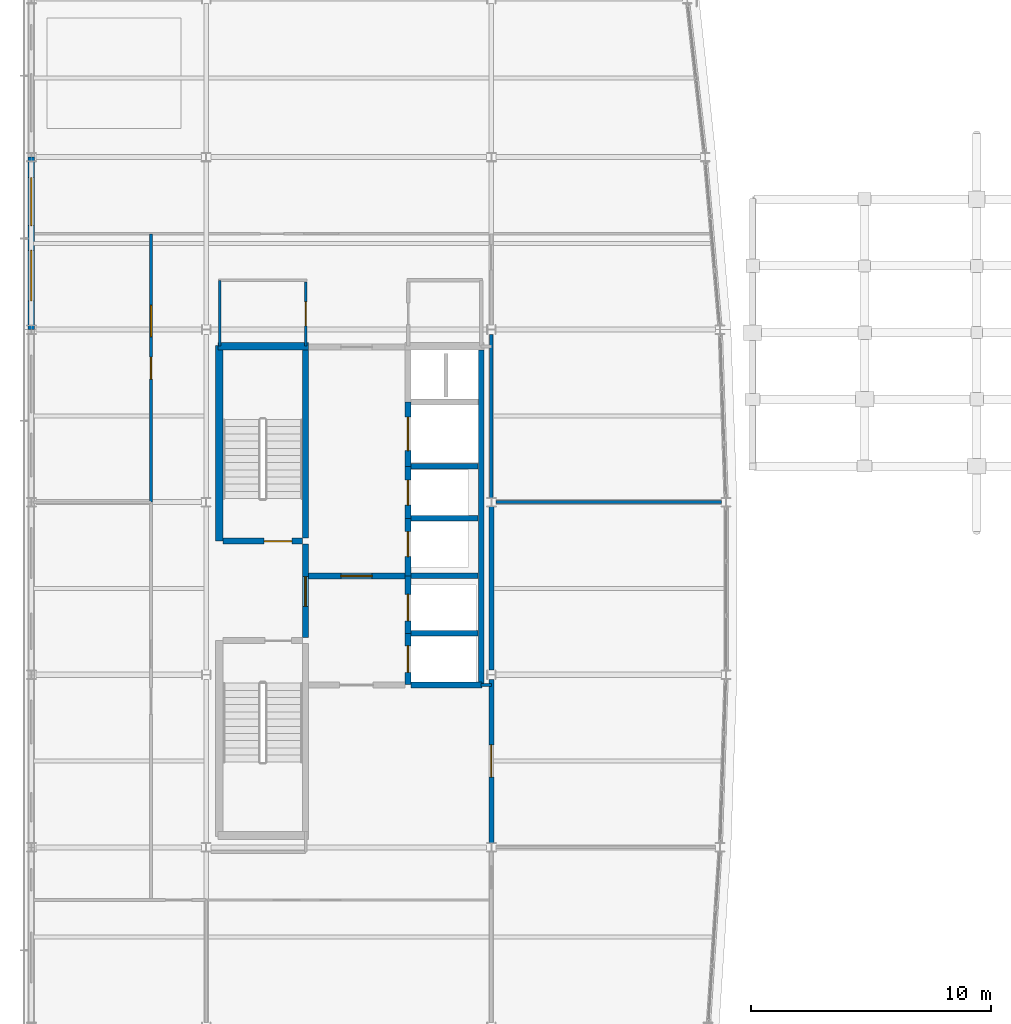
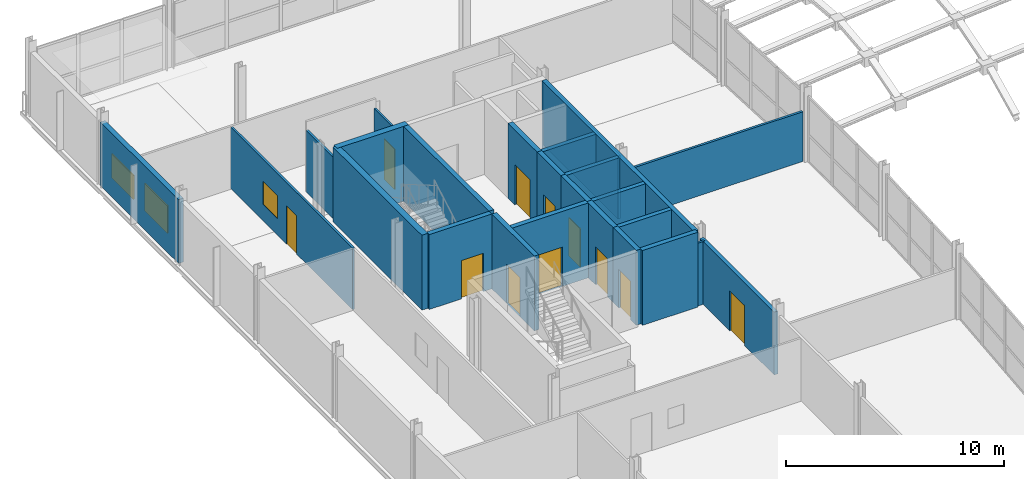
# One storey, part 25 of 36: 26 walls, 11 doors, 3 windows, 14 openings.
"""IFC4 building model written with IfcOpenShell, lengths in metres."""

from ifc_helpers import new_model, si_unit, direction, frame, frame_2d, origin, place, context, subcontext, project, spatial, rectangle, extrude, material, layer, layer_set, type_object, element, fill, save


model = new_model("IFC4")

# Units and contexts
model_context = context("Model", 3, precision=1e-05, world=origin(), true_north=direction((0.0, 1.0)))
body_context = subcontext(model_context, "Body", "Model", "MODEL_VIEW")
ifc_project = project(units=[si_unit("LENGTHUNIT", "METRE"), si_unit("AREAUNIT", "SQUARE_METRE"), si_unit("VOLUMEUNIT", "CUBIC_METRE"), si_unit("PLANEANGLEUNIT", "RADIAN"), si_unit("MASSUNIT", "GRAM", prefix="KILO")], contexts=[model_context])

# Site, building, storey
site_placement = place(None, origin())
site = spatial("IfcSite", under=ifc_project, at=site_placement, CompositionType="ELEMENT")
building_placement = place(site_placement, origin())
building = spatial("IfcBuilding", under=site, at=building_placement, Name="Quillay Park Conservatory", CompositionType="ELEMENT")
storey_placement = place(building_placement, frame((0.0, 0.0, 18.300048828125)))
storey = spatial("IfcBuildingStorey", under=building, at=storey_placement, Name="L04", CompositionType="ELEMENT", Elevation=18.300048828125)

# Wall, opening, door
ifc_material_1 = material(Name="Steel-Stud Acoustic Gypsum Board Partition", Category="steel")
ifc_layer_1 = layer(ifc_material_1, 0.10009765625)
ifc_layer_set_1 = layer_set([ifc_layer_1], Name="ACOUSTIC GYPSUM PARTITION 100 (Steel-Stud Acoustic Gypsum Board Partition)")
wall_type_1 = type_object("IfcWallType", Name="ACOUSTIC GYPSUM PARTITION 100", PredefinedType="PARTITIONING", material=ifc_layer_set_1)
wall_1_placement = place(storey_placement, frame((12.0, 101.60009765625, 0.0), z_axis=(0.0, 0.0, 1.0), x_axis=(0.0, -1.0, 0.0)))
wall_1 = element("IfcWall", 1, at=wall_1_placement, inside=storey, type_object=wall_type_1, Name="L04 Accessible WC Door Wall", PredefinedType="PARTITIONING", context=body_context, shape_type="SweptSolid", body=[
    extrude(rectangle(XDim=2.68017578125, YDim=0.10009765625, at=frame_2d((1.340087890625, 0.0))), origin(), (0.0, 0.0, 1.0), 3.450927734375),
])
opening_1_placement = place(wall_1_placement, frame((0.840087890625, 0.0, 0.0)))
opening_1 = element("IfcOpeningElement", 2, at=opening_1_placement, cuts=wall_1, Name="Opening D-RM19", PredefinedType="OPENING", context=body_context, shape_type="SweptSolid", body=[
    extrude(rectangle(XDim=1.0, YDim=2.25, at=frame_2d((0.5, 1.125))), frame((0.0, 0.050048828125, 0.0), z_axis=(0.0, -1.0, 0.0), x_axis=(1.0, 0.0, 0.0)), (0.0, 0.0, 1.0), 0.10009765625),
])
ifc_material_2 = material(Name="Thermally Broken Anodised Aluminium 6063-T6", Category="aluminium")
door_type_1 = type_object("IfcDoorType", Name="SINGLE SWING DOOR 1000 X2250", OperationType="NOTDEFINED", PredefinedType="DOOR", material=ifc_material_2)
door_1_placement = place(opening_1_placement, origin())
door_1 = element("IfcDoor", 3, at=door_1_placement, inside=storey, type_object=door_type_1, Name="L04 Door to L04 Accessible WC", OperationType="SINGLE_SWING_LEFT", OverallHeight=2.25, OverallWidth=1.0, PredefinedType="DOOR", context=body_context, shape_type="SweptSolid", body=[
    extrude(rectangle(XDim=1.0, YDim=2.25, at=frame_2d((0.5, 1.125))), frame((0.0, 0.02490234375, 0.0), z_axis=(0.0, -1.0, 0.0), x_axis=(1.0, 0.0, 0.0)), (0.0, 0.0, 1.0), 0.050048828125),
])
fill(opening_1, door_1)

# Wall
ifc_material_3 = material(Name="Steel-Stud Acoustic Gypsum Board Partition", Category="steel")
ifc_layer_2 = layer(ifc_material_3, 0.110107421875)
ifc_layer_set_2 = layer_set([ifc_layer_2], Name="ACOUSTIC GYPSUM PARTITION 110 (Steel-Stud Acoustic Gypsum Board Partition)")
wall_type_2 = type_object("IfcWallType", Name="ACOUSTIC GYPSUM PARTITION 110", PredefinedType="PARTITIONING", material=ifc_layer_set_2)
wall_2_placement = place(storey_placement, frame((8.419921875, 98.919921875, 0.0), z_axis=(0.0, 0.0, 1.0), x_axis=(0.0, 1.0, 0.0)))
element("IfcWall", 4, at=wall_2_placement, inside=storey, type_object=wall_type_2, Name="L04 Accessible WC West Wall", PredefinedType="PARTITIONING", context=body_context, shape_type="SweptSolid", body=[
    extrude(rectangle(XDim=2.739990234375, YDim=0.110107421875, at=frame_2d((1.3701171875, 0.0))), origin(), (0.0, 0.0, 1.0), 3.450927734375),
])

# Wall, openings, window, door
ifc_material_4 = material(Name="Steel-Stud Acoustic Gypsum Board Partition", Category="steel")
ifc_layer_3 = layer(ifc_material_4, 0.114990234375)
ifc_layer_set_3 = layer_set([ifc_layer_3], Name="ACOUSTIC GYPSUM PARTITION 115 (Steel-Stud Acoustic Gypsum Board Partition)")
wall_type_3 = type_object("IfcWallType", Name="ACOUSTIC GYPSUM PARTITION 115", PredefinedType="PARTITIONING", material=ifc_layer_set_3)
wall_3_placement = place(storey_placement, frame((5.550048828125, 92.39990234375, 0.0), z_axis=(0.0, 0.0, 1.0), x_axis=(0.0, 1.0, 0.0)))
wall_3 = element("IfcWall", 5, at=wall_3_placement, inside=storey, type_object=wall_type_3, Name="L04 Flora Nomenclature Indexing Studio Corridor Wall", PredefinedType="PARTITIONING", context=body_context, shape_type="SweptSolid", body=[
    extrude(rectangle(XDim=11.2001953125, YDim=0.114990234375, at=frame_2d((5.60009765625, 0.0))), origin(), (0.0, 0.0, 1.0), 3.450927734375),
])
opening_2_placement = place(wall_3_placement, frame((5.139892578125, 0.0, 0.0)))
opening_2 = element("IfcOpeningElement", 6, at=opening_2_placement, cuts=wall_3, Name="Opening D-RM07", PredefinedType="OPENING", context=body_context, shape_type="SweptSolid", body=[
    extrude(rectangle(XDim=0.919921875, YDim=2.14990234375, at=frame_2d((0.4599609375, 1.074951171875))), frame((0.0, 0.0576171875, 0.0), z_axis=(0.0, -1.0, 0.0), x_axis=(1.0, 0.0, 0.0)), (0.0, 0.0, 1.0), 0.114990234375),
])
opening_3_placement = place(wall_3_placement, frame((6.909912109375, 0.0, 0.919921875)))
opening_3 = element("IfcOpeningElement", 7, at=opening_3_placement, cuts=wall_3, Name="Opening W-IN11", PredefinedType="OPENING", context=body_context, shape_type="SweptSolid", body=[
    extrude(rectangle(XDim=1.300048828125, YDim=1.300048828125, at=frame_2d((0.64990234375, 0.64990234375))), frame((0.0, 0.0576171875, 0.0), z_axis=(0.0, -1.0, 0.0), x_axis=(1.0, 0.0, 0.0)), (0.0, 0.0, 1.0), 0.114990234375),
])
ifc_material_5 = material(Name="Low-E Double Glazing (Laminated Tempered)", Category="glass")
window_type_1 = type_object("IfcWindowType", Name="OPERABLE VENT WINDOW 1300 X1300", PartitioningType="SINGLE_PANEL", PredefinedType="WINDOW", material=ifc_material_5)
window_1_placement = place(opening_3_placement, origin())
window_1 = element("IfcWindow", 8, at=window_1_placement, inside=storey, type_object=window_type_1, Name="L04 Laboratory Vision Panel 023", OverallHeight=1.300048828125, OverallWidth=1.300048828125, PartitioningType="SINGLE_PANEL", PredefinedType="WINDOW", context=body_context, shape_type="SweptSolid", body=[
    extrude(rectangle(XDim=1.300048828125, YDim=1.300048828125, at=frame_2d((0.64990234375, 0.64990234375))), frame((0.0, 0.030029296875, 0.0), z_axis=(0.0, -1.0, 0.0), x_axis=(1.0, 0.0, 0.0)), (0.0, 0.0, 1.0), 0.06005859375),
])
fill(opening_3, window_1)
ifc_material_6 = material(Name="Thermally Broken Anodised Aluminium 6063-T6", Category="aluminium")
door_type_2 = type_object("IfcDoorType", Name="SINGLE SWING DOOR 920 X2150", OperationType="NOTDEFINED", PredefinedType="DOOR", material=ifc_material_6)
door_2_placement = place(opening_2_placement, origin())
door_2 = element("IfcDoor", 9, at=door_2_placement, inside=storey, type_object=door_type_2, Name="L04 Door to Flora Nomenclature Indexing Studio", OperationType="SINGLE_SWING_LEFT", OverallHeight=2.14990234375, OverallWidth=0.919921875, PredefinedType="DOOR", context=body_context, shape_type="SweptSolid", body=[
    extrude(rectangle(XDim=0.919921875, YDim=2.14990234375, at=frame_2d((0.4599609375, 1.074951171875))), frame((0.0, 0.02490234375, 0.0), z_axis=(0.0, -1.0, 0.0), x_axis=(1.0, 0.0, 0.0)), (0.0, 0.0, 1.0), 0.050048828125),
])
fill(opening_2, door_2)

# Walls
ifc_material_7 = material(Name="Steel-Stud Acoustic Gypsum Board Partition", Category="steel")
ifc_layer_4 = layer(ifc_material_7, 0.1201171875)
ifc_layer_set_4 = layer_set([ifc_layer_4], Name="ACOUSTIC GYPSUM PARTITION 120 (Steel-Stud Acoustic Gypsum Board Partition)")
wall_type_4 = type_object("IfcWallType", Name="ACOUSTIC GYPSUM PARTITION 120", PredefinedType="PARTITIONING", material=ifc_layer_set_4)
wall_4_placement = place(storey_placement, frame((19.320068359375, 84.77490234375, 0.0), z_axis=(0.0, 0.0, 1.0), x_axis=(1.0, 0.0, 0.0)))
element("IfcWall", 10, at=wall_4_placement, inside=storey, type_object=wall_type_4, Name="L04 Core South-East Closure", PredefinedType="PARTITIONING", context=body_context, shape_type="SweptSolid", body=[
    extrude(rectangle(XDim=0.429931640625, YDim=0.1201171875, at=frame_2d((0.21484375, 0.0))), origin(), (0.0, 0.0, 1.0), 3.52685546875),
])
ifc_material_8 = material(Name="Steel-Stud Acoustic Gypsum Board Partition", Category="steel")
ifc_layer_5 = layer(ifc_material_8, 0.125)
ifc_layer_set_5 = layer_set([ifc_layer_5], Name="ACOUSTIC GYPSUM PARTITION 125 (Steel-Stud Acoustic Gypsum Board Partition)")
wall_type_5 = type_object("IfcWallType", Name="ACOUSTIC GYPSUM PARTITION 125", PredefinedType="PARTITIONING", material=ifc_layer_set_5)
wall_5_placement = place(storey_placement, frame((29.357421875, 92.39990234375, 0.0), z_axis=(0.0, 0.0, 1.0), x_axis=(-1.0, 0.0, 0.0)))
element("IfcWall", 11, at=wall_5_placement, inside=storey, type_object=wall_type_5, Name="L04 East Divider 92", PredefinedType="PARTITIONING", context=body_context, shape_type="SweptSolid", body=[
    extrude(rectangle(XDim=9.4150390625, YDim=0.125, at=frame_2d((4.70751953125, 0.0))), origin(), (0.0, 0.0, 1.0), 2.7900390625),
])
ifc_material_9 = material(Name="Steel-Stud Acoustic Gypsum Board Partition", Category="steel")
ifc_layer_6 = layer(ifc_material_9, 0.139892578125)
ifc_layer_set_6 = layer_set([ifc_layer_6], Name="ACOUSTIC GYPSUM PARTITION 140 (Steel-Stud Acoustic Gypsum Board Partition)")
wall_type_6 = type_object("IfcWallType", Name="ACOUSTIC GYPSUM PARTITION 140", PredefinedType="PARTITIONING", material=ifc_layer_set_6)
wall_6_placement = place(storey_placement, frame((19.75, 92.5849609375, 0.0), z_axis=(0.0, 0.0, 1.0), x_axis=(0.0, 1.0, 0.0)))
element("IfcWall", 12, at=wall_6_placement, inside=storey, type_object=wall_type_6, Name="L04 Lichenology Specimen Curation Studio West Wall 1", PredefinedType="PARTITIONING", context=body_context, shape_type="SweptSolid", body=[
    extrude(rectangle(XDim=6.822509765625, YDim=0.139892578125, at=frame_2d((3.4111328125, 0.0))), origin(), (0.0, 0.0, 1.0), 3.52685546875),
])
ifc_material_10 = material(Name="Concrete C35/45 (NCh170 Concrete C35/45)", Category="concrete")
ifc_layer_7 = layer(ifc_material_10, 0.22509765625)
ifc_layer_set_7 = layer_set([ifc_layer_7], Name="CORE SHEAR WALL 225 (Concrete C35/45 (NCh170 Concrete C35/45))")
wall_type_7 = type_object("IfcWallType", Name="CORE SHEAR WALL 225", PredefinedType="SHEAR", material=ifc_layer_set_7)
wall_7_placement = place(storey_placement, frame((19.320068359375, 84.800048828125, 0.0), z_axis=(0.0, 0.0, 1.0), x_axis=(0.0, 1.0, 0.0)))
element("IfcWall", 13, at=wall_7_placement, inside=storey, type_object=wall_type_7, Name="L04 Core Shear Wall WL-LFBACK-L04", PredefinedType="SHEAR", context=body_context, shape_type="SweptSolid", body=[
    extrude(rectangle(XDim=13.949951171875, YDim=0.22509765625, at=frame_2d((6.97509765625, 0.0))), origin(), (0.0, 0.0, 1.0), 4.199951171875),
])
for number, where, z_axis, x_axis, name in (
    (14, (16.39990234375, 86.925048828125, 0.0), (0.0, 0.0, 1.0), (1.0, 0.0, 0.0), "L04 Core Shear Wall WL-LFDIV-L04-869"),
    (15, (16.39990234375, 89.324951171875, 0.0), (0.0, 0.0, 1.0), (1.0, 0.0, 0.0), "L04 Core Shear Wall WL-LFDIV-L04-893"),
    (16, (16.39990234375, 91.72509765625, 0.0), (0.0, 0.0, 1.0), (1.0, 0.0, 0.0), "L04 Core Shear Wall WL-LFDIV-L04-917"),
    (17, (16.39990234375, 93.89990234375, 0.0), (0.0, 0.0, 1.0), (1.0, 0.0, 0.0), "L04 Core Shear Wall WL-LFDIV-L04-939"),
):
    element("IfcWall", number, at=place(storey_placement, frame(where, z_axis=z_axis, x_axis=x_axis)), inside=storey, type_object=wall_type_7, Name=name, PredefinedType="SHEAR", context=body_context, shape_type="SweptSolid", body=[
        extrude(rectangle(XDim=2.800048828125, YDim=0.22509765625, at=frame_2d((1.39990234375, 0.0))), origin(), (0.0, 0.0, 1.0), 4.199951171875),
    ])
ifc_material_11 = material(Name="Concrete C40/50 (NCh170 Concrete C40/50)", Category="concrete")
ifc_layer_8 = layer(ifc_material_11, 0.25)
ifc_layer_set_8 = layer_set([ifc_layer_8], Name="CORE SHEAR WALL 250 (Concrete C40/50 (NCh170 Concrete C40/50))")
wall_type_8 = type_object("IfcWallType", Name="CORE SHEAR WALL 250", PredefinedType="SHEAR", material=ifc_layer_set_8)
wall_8_placement = place(storey_placement, frame((11.9951171875, 90.89990234375, 0.0), z_axis=(0.0, 0.0, 1.0), x_axis=(0.0, 1.0, 0.0)))
element("IfcWall", 18, at=wall_8_placement, inside=storey, type_object=wall_type_8, Name="L04 Core Shear Wall WL-T1E-L04", PredefinedType="SHEAR", context=body_context, shape_type="SweptSolid", body=[
    extrude(rectangle(XDim=7.85009765625, YDim=0.25, at=frame_2d((3.925048828125, 0.0))), origin(), (0.0, 0.0, 1.0), 4.199951171875),
])

# Wall, opening, door
wall_9_placement = place(storey_placement, frame((11.9951171875, 86.75, 0.0), z_axis=(0.0, 0.0, 1.0), x_axis=(0.0, 1.0, 0.0)))
wall_9 = element("IfcWall", 19, at=wall_9_placement, inside=storey, type_object=wall_type_8, Name="L04 Core Shear Wall WL-FFW-L04", PredefinedType="SHEAR", context=body_context, shape_type="SweptSolid", body=[
    extrude(rectangle(XDim=3.89990234375, YDim=0.25, at=frame_2d((1.949951171875, 0.0))), origin(), (0.0, 0.0, 1.0), 4.199951171875),
])
opening_4_placement = place(wall_9_placement, frame((1.300048828125, 0.0, 0.0)))
opening_4 = element("IfcOpeningElement", 20, at=opening_4_placement, cuts=wall_9, Name="Opening D-LB01", PredefinedType="OPENING", context=body_context, shape_type="SweptSolid", body=[
    extrude(rectangle(XDim=1.25, YDim=2.199951171875, at=frame_2d((0.625, 1.10009765625))), frame((0.0, 0.125, 0.0), z_axis=(0.0, -1.0, 0.0), x_axis=(1.0, 0.0, 0.0)), (0.0, 0.0, 1.0), 0.25),
])
ifc_material_12 = material(Name="Steel ASTM A572 Grade 50", Category="steel")
door_type_3 = type_object("IfcDoorType", Name="FIRE RATED LOBBY DOOR 1250 X2200", OperationType="NOTDEFINED", PredefinedType="DOOR", material=ifc_material_12)
door_3_placement = place(opening_4_placement, origin())
door_3 = element("IfcDoor", 21, at=door_3_placement, inside=storey, type_object=door_type_3, Name="L04 Firefighting Lobby Corridor Door", OperationType="SINGLE_SWING_LEFT", OverallHeight=2.199951171875, OverallWidth=1.25, PredefinedType="DOOR", context=body_context, shape_type="SweptSolid", body=[
    extrude(rectangle(XDim=1.25, YDim=2.199951171875, at=frame_2d((0.625, 1.10009765625))), frame((0.0, 0.02490234375, 0.0), z_axis=(0.0, -1.0, 0.0), x_axis=(1.0, 0.0, 0.0)), (0.0, 0.0, 1.0), 0.050048828125),
])
fill(opening_4, door_3)

wall_10_placement = place(storey_placement, frame((11.8701171875, 90.77490234375, 0.0), z_axis=(0.0, 0.0, 1.0), x_axis=(-1.0, 0.0, 0.0)))
wall_10 = element("IfcWall", 22, at=wall_10_placement, inside=storey, type_object=wall_type_8, Name="L04 Core Shear Wall WL-ST1D-L04", PredefinedType="SHEAR", context=body_context, shape_type="SweptSolid", body=[
    extrude(rectangle(XDim=3.320068359375, YDim=0.25, at=frame_2d((1.66015625, 0.0))), origin(), (0.0, 0.0, 1.0), 4.199951171875),
])
opening_5_placement = place(wall_10_placement, frame((0.449951171875, 0.0, 0.0)))
opening_5 = element("IfcOpeningElement", 23, at=opening_5_placement, cuts=wall_10, Name="Opening D-ST02", PredefinedType="OPENING", context=body_context, shape_type="SweptSolid", body=[
    extrude(rectangle(XDim=1.14990234375, YDim=2.14990234375, at=frame_2d((0.574951171875, 1.074951171875))), frame((0.0, 0.125, 0.0), z_axis=(0.0, -1.0, 0.0), x_axis=(1.0, 0.0, 0.0)), (0.0, 0.0, 1.0), 0.25),
])
ifc_material_13 = material(Name="Steel ASTM A572 Grade 50", Category="steel")
door_type_4 = type_object("IfcDoorType", Name="FIRE RATED STAIR DOOR 1150 X2150", OperationType="NOTDEFINED", PredefinedType="DOOR", material=ifc_material_13)
door_4_placement = place(opening_5_placement, origin())
door_4 = element("IfcDoor", 24, at=door_4_placement, inside=storey, type_object=door_type_4, Name="L04 Protected Stair ST-T1 Door", OperationType="SINGLE_SWING_RIGHT", OverallHeight=2.14990234375, OverallWidth=1.14990234375, PredefinedType="DOOR", context=body_context, shape_type="SweptSolid", body=[
    extrude(rectangle(XDim=1.14990234375, YDim=2.14990234375, at=frame_2d((0.574951171875, 1.074951171875))), frame((0.0, 0.02490234375, 0.0), z_axis=(0.0, -1.0, 0.0), x_axis=(1.0, 0.0, 0.0)), (0.0, 0.0, 1.0), 0.050048828125),
])
fill(opening_5, door_4)

wall_11_placement = place(storey_placement, frame((12.1201171875, 89.324951171875, 0.0), z_axis=(0.0, 0.0, 1.0), x_axis=(1.0, 0.0, 0.0)))
wall_11 = element("IfcWall", 25, at=wall_11_placement, inside=storey, type_object=wall_type_8, Name="L04 Core Shear Wall WL-FFDIV-L04", PredefinedType="SHEAR", context=body_context, shape_type="SweptSolid", body=[
    extrude(rectangle(XDim=4.02978515625, YDim=0.25, at=frame_2d((2.014892578125, 0.0))), origin(), (0.0, 0.0, 1.0), 4.199951171875),
])
opening_6_placement = place(wall_11_placement, frame((1.35009765625, 0.0, 0.0)))
opening_6 = element("IfcOpeningElement", 26, at=opening_6_placement, cuts=wall_11, Name="Opening D-LB02", PredefinedType="OPENING", context=body_context, shape_type="SweptSolid", body=[
    extrude(rectangle(XDim=1.300048828125, YDim=2.199951171875, at=frame_2d((0.64990234375, 1.10009765625))), frame((0.0, 0.125, 0.0), z_axis=(0.0, -1.0, 0.0), x_axis=(1.0, 0.0, 0.0)), (0.0, 0.0, 1.0), 0.25),
])
ifc_material_14 = material(Name="Steel ASTM A572 Grade 50", Category="steel")
door_type_5 = type_object("IfcDoorType", Name="FIRE RATED LOBBY DOOR 1300 X2200", OperationType="NOTDEFINED", PredefinedType="DOOR", material=ifc_material_14)
door_5_placement = place(opening_6_placement, origin())
door_5 = element("IfcDoor", 27, at=door_5_placement, inside=storey, type_object=door_type_5, Name="L04 Firefighting to Passenger Lobby Door", OperationType="SINGLE_SWING_LEFT", OverallHeight=2.199951171875, OverallWidth=1.300048828125, PredefinedType="DOOR", context=body_context, shape_type="SweptSolid", body=[
    extrude(rectangle(XDim=1.300048828125, YDim=2.199951171875, at=frame_2d((0.64990234375, 1.10009765625))), frame((0.0, 0.02490234375, 0.0), z_axis=(0.0, -1.0, 0.0), x_axis=(1.0, 0.0, 0.0)), (0.0, 0.0, 1.0), 0.050048828125),
])
fill(opening_6, door_5)

# Wall
wall_12_placement = place(storey_placement, frame((16.39990234375, 84.77490234375, 0.0), z_axis=(0.0, 0.0, 1.0), x_axis=(1.0, 0.0, 0.0)))
element("IfcWall", 28, at=wall_12_placement, inside=storey, type_object=wall_type_8, Name="L04 Core Shear Wall WL-LFSO-L04", PredefinedType="SHEAR", context=body_context, shape_type="SweptSolid", body=[
    extrude(rectangle(XDim=2.9501953125, YDim=0.25, at=frame_2d((1.47509765625, 0.0))), origin(), (0.0, 0.0, 1.0), 4.199951171875),
])

# Wall, opening, door
wall_13_placement = place(storey_placement, frame((16.27490234375, 84.800048828125, 0.0), z_axis=(0.0, 0.0, 1.0), x_axis=(0.0, 1.0, 0.0)))
wall_13 = element("IfcWall", 29, at=wall_13_placement, inside=storey, type_object=wall_type_8, Name="L04 Core Shear Wall WL-LFFR-L04-LF-FF1", PredefinedType="SHEAR", context=body_context, shape_type="SweptSolid", body=[
    extrude(rectangle(XDim=2.125, YDim=0.25, at=frame_2d((1.0625, 0.0))), origin(), (0.0, 0.0, 1.0), 4.199951171875),
])
opening_7_placement = place(wall_13_placement, frame((0.5, 0.0, 0.0)))
opening_7 = element("IfcOpeningElement", 30, at=opening_7_placement, cuts=wall_13, Name="Opening LD01", PredefinedType="OPENING", context=body_context, shape_type="SweptSolid", body=[
    extrude(rectangle(XDim=1.10009765625, YDim=2.14990234375, at=frame_2d((0.550048828125, 1.074951171875))), frame((0.0, 0.125, 0.0), z_axis=(0.0, -1.0, 0.0), x_axis=(1.0, 0.0, 0.0)), (0.0, 0.0, 1.0), 0.25),
])
ifc_material_15 = material(Name="Steel ASTM A572 Grade 50", Category="steel")
door_type_6 = type_object("IfcDoorType", Name="LIFT LANDING SLIDING DOOR 1100 X2150", OperationType="NOTDEFINED", PredefinedType="DOOR", material=ifc_material_15)
door_6_placement = place(opening_7_placement, origin())
door_6 = element("IfcDoor", 31, at=door_6_placement, inside=storey, type_object=door_type_6, Name="L04 LF-FF1 Lift Landing Door LD01", OperationType="SLIDING_TO_LEFT", OverallHeight=2.14990234375, OverallWidth=1.10009765625, PredefinedType="DOOR", context=body_context, shape_type="SweptSolid", body=[
    extrude(rectangle(XDim=1.10009765625, YDim=2.14990234375, at=frame_2d((0.550048828125, 1.074951171875))), frame((0.0, 0.02490234375, 0.0), z_axis=(0.0, -1.0, 0.0), x_axis=(1.0, 0.0, 0.0)), (0.0, 0.0, 1.0), 0.050048828125),
])
fill(opening_7, door_6)

wall_14_placement = place(storey_placement, frame((16.27490234375, 86.925048828125, 0.0), z_axis=(0.0, 0.0, 1.0), x_axis=(0.0, 1.0, 0.0)))
wall_14 = element("IfcWall", 32, at=wall_14_placement, inside=storey, type_object=wall_type_8, Name="L04 Core Shear Wall WL-LFFR-L04-LF-FF2", PredefinedType="SHEAR", context=body_context, shape_type="SweptSolid", body=[
    extrude(rectangle(XDim=2.39990234375, YDim=0.25, at=frame_2d((1.199951171875, 0.0))), origin(), (0.0, 0.0, 1.0), 4.199951171875),
])
opening_8_placement = place(wall_14_placement, frame((0.52490234375, 0.0, 0.0)))
opening_8 = element("IfcOpeningElement", 33, at=opening_8_placement, cuts=wall_14, Name="Opening LD01", PredefinedType="OPENING", context=body_context, shape_type="SweptSolid", body=[
    extrude(rectangle(XDim=1.10009765625, YDim=2.14990234375, at=frame_2d((0.550048828125, 1.074951171875))), frame((0.0, 0.125, 0.0), z_axis=(0.0, -1.0, 0.0), x_axis=(1.0, 0.0, 0.0)), (0.0, 0.0, 1.0), 0.25),
])
door_7_placement = place(opening_8_placement, origin())
door_7 = element("IfcDoor", 34, at=door_7_placement, inside=storey, type_object=door_type_6, Name="L04 LF-FF2 Lift Landing Door LD01", OperationType="SLIDING_TO_LEFT", OverallHeight=2.14990234375, OverallWidth=1.10009765625, PredefinedType="DOOR", context=body_context, shape_type="SweptSolid", body=[
    extrude(rectangle(XDim=1.10009765625, YDim=2.14990234375, at=frame_2d((0.550048828125, 1.074951171875))), frame((0.0, 0.02490234375, 0.0), z_axis=(0.0, -1.0, 0.0), x_axis=(1.0, 0.0, 0.0)), (0.0, 0.0, 1.0), 0.050048828125),
])
fill(opening_8, door_7)

wall_15_placement = place(storey_placement, frame((16.27490234375, 89.324951171875, 0.0), z_axis=(0.0, 0.0, 1.0), x_axis=(0.0, 1.0, 0.0)))
wall_15 = element("IfcWall", 35, at=wall_15_placement, inside=storey, type_object=wall_type_8, Name="L04 Core Shear Wall WL-LFFR-L04-LF-P1", PredefinedType="SHEAR", context=body_context, shape_type="SweptSolid", body=[
    extrude(rectangle(XDim=2.400146484375, YDim=0.25, at=frame_2d((1.2001953125, 0.0))), origin(), (0.0, 0.0, 1.0), 4.199951171875),
])
opening_9_placement = place(wall_15_placement, frame((0.800048828125, 0.0, 0.0)))
opening_9 = element("IfcOpeningElement", 36, at=opening_9_placement, cuts=wall_15, Name="Opening LD02", PredefinedType="OPENING", context=body_context, shape_type="SweptSolid", body=[
    extrude(rectangle(XDim=1.050048828125, YDim=2.14990234375, at=frame_2d((0.52490234375, 1.074951171875))), frame((0.0, 0.125, 0.0), z_axis=(0.0, -1.0, 0.0), x_axis=(1.0, 0.0, 0.0)), (0.0, 0.0, 1.0), 0.25),
])
ifc_material_16 = material(Name="Steel ASTM A572 Grade 50", Category="steel")
door_type_7 = type_object("IfcDoorType", Name="LIFT LANDING SLIDING DOOR 1050 X2150", OperationType="NOTDEFINED", PredefinedType="DOOR", material=ifc_material_16)
door_8_placement = place(opening_9_placement, origin())
door_8 = element("IfcDoor", 37, at=door_8_placement, inside=storey, type_object=door_type_7, Name="L04 LF-P1 Lift Landing Door LD02", OperationType="SLIDING_TO_LEFT", OverallHeight=2.14990234375, OverallWidth=1.050048828125, PredefinedType="DOOR", context=body_context, shape_type="SweptSolid", body=[
    extrude(rectangle(XDim=1.050048828125, YDim=2.14990234375, at=frame_2d((0.52490234375, 1.074951171875))), frame((0.0, 0.02490234375, 0.0), z_axis=(0.0, -1.0, 0.0), x_axis=(1.0, 0.0, 0.0)), (0.0, 0.0, 1.0), 0.050048828125),
])
fill(opening_9, door_8)

wall_16_placement = place(storey_placement, frame((16.27490234375, 91.72509765625, 0.0), z_axis=(0.0, 0.0, 1.0), x_axis=(0.0, 1.0, 0.0)))
wall_16 = element("IfcWall", 38, at=wall_16_placement, inside=storey, type_object=wall_type_8, Name="L04 Core Shear Wall WL-LFFR-L04-LF-P2", PredefinedType="SHEAR", context=body_context, shape_type="SweptSolid", body=[
    extrude(rectangle(XDim=2.1748046875, YDim=0.25, at=frame_2d((1.08740234375, 0.0))), origin(), (0.0, 0.0, 1.0), 4.199951171875),
])
opening_10_placement = place(wall_16_placement, frame((0.550048828125, 0.0, 0.0)))
opening_10 = element("IfcOpeningElement", 39, at=opening_10_placement, cuts=wall_16, Name="Opening LD02", PredefinedType="OPENING", context=body_context, shape_type="SweptSolid", body=[
    extrude(rectangle(XDim=1.050048828125, YDim=2.14990234375, at=frame_2d((0.52490234375, 1.074951171875))), frame((0.0, 0.125, 0.0), z_axis=(0.0, -1.0, 0.0), x_axis=(1.0, 0.0, 0.0)), (0.0, 0.0, 1.0), 0.25),
])
door_9_placement = place(opening_10_placement, origin())
door_9 = element("IfcDoor", 40, at=door_9_placement, inside=storey, type_object=door_type_7, Name="L04 LF-P2 Lift Landing Door LD02", OperationType="SLIDING_TO_LEFT", OverallHeight=2.14990234375, OverallWidth=1.050048828125, PredefinedType="DOOR", context=body_context, shape_type="SweptSolid", body=[
    extrude(rectangle(XDim=1.050048828125, YDim=2.14990234375, at=frame_2d((0.52490234375, 1.074951171875))), frame((0.0, 0.02490234375, 0.0), z_axis=(0.0, -1.0, 0.0), x_axis=(1.0, 0.0, 0.0)), (0.0, 0.0, 1.0), 0.050048828125),
])
fill(opening_10, door_9)

wall_17_placement = place(storey_placement, frame((16.27490234375, 93.89990234375, 0.0), z_axis=(0.0, 0.0, 1.0), x_axis=(0.0, 1.0, 0.0)))
wall_17 = element("IfcWall", 41, at=wall_17_placement, inside=storey, type_object=wall_type_8, Name="L04 Core Shear Wall WL-LFFR-L04-LF-G1", PredefinedType="SHEAR", context=body_context, shape_type="SweptSolid", body=[
    extrude(rectangle(XDim=2.675048828125, YDim=0.25, at=frame_2d((1.33740234375, 0.0))), origin(), (0.0, 0.0, 1.0), 4.199951171875),
])
opening_11_placement = place(wall_17_placement, frame((0.64990234375, 0.0, 0.0)))
opening_11 = element("IfcOpeningElement", 42, at=opening_11_placement, cuts=wall_17, Name="Opening LD03", PredefinedType="OPENING", context=body_context, shape_type="SweptSolid", body=[
    extrude(rectangle(XDim=1.39990234375, YDim=2.25, at=frame_2d((0.699951171875, 1.125))), frame((0.0, 0.125, 0.0), z_axis=(0.0, -1.0, 0.0), x_axis=(1.0, 0.0, 0.0)), (0.0, 0.0, 1.0), 0.25),
])
ifc_material_17 = material(Name="Steel ASTM A572 Grade 50", Category="steel")
door_type_8 = type_object("IfcDoorType", Name="LIFT LANDING SLIDING DOOR 1400 X2250", OperationType="NOTDEFINED", PredefinedType="DOOR", material=ifc_material_17)
door_10_placement = place(opening_11_placement, origin())
door_10 = element("IfcDoor", 43, at=door_10_placement, inside=storey, type_object=door_type_8, Name="L04 LF-G1 Lift Landing Door LD03", OperationType="SLIDING_TO_LEFT", OverallHeight=2.25, OverallWidth=1.39990234375, PredefinedType="DOOR", context=body_context, shape_type="SweptSolid", body=[
    extrude(rectangle(XDim=1.39990234375, YDim=2.25, at=frame_2d((0.699951171875, 1.125))), frame((0.0, 0.02490234375, 0.0), z_axis=(0.0, -1.0, 0.0), x_axis=(1.0, 0.0, 0.0)), (0.0, 0.0, 1.0), 0.050048828125),
])
fill(opening_11, door_10)

# Walls
ifc_material_18 = material(Name="Concrete C40/50 (NCh170 Concrete C40/50)", Category="concrete")
ifc_layer_9 = layer(ifc_material_18, 0.320068359375)
ifc_layer_set_9 = layer_set([ifc_layer_9], Name="CORE SHEAR WALL 320 (Concrete C40/50 (NCh170 Concrete C40/50))")
wall_type_9 = type_object("IfcWallType", Name="CORE SHEAR WALL 320", PredefinedType="SHEAR", material=ifc_layer_set_9)
wall_18_placement = place(storey_placement, frame((8.389892578125, 90.77490234375, 0.0), z_axis=(0.0, 0.0, 1.0), x_axis=(0.0, 1.0, 0.0)))
element("IfcWall", 44, at=wall_18_placement, inside=storey, type_object=wall_type_9, Name="L04 Core Shear Wall WL-TCW-N-L04", PredefinedType="SHEAR", context=body_context, shape_type="SweptSolid", body=[
    extrude(rectangle(XDim=8.175048828125, YDim=0.320068359375, at=frame_2d((4.08740234375, 0.0))), origin(), (0.0, 0.0, 1.0), 4.199951171875),
])
wall_19_placement = place(storey_placement, frame((8.35009765625, 98.909912109375, 0.0), z_axis=(0.0, 0.0, 1.0), x_axis=(1.0, 0.0, 0.0)))
element("IfcWall", 45, at=wall_19_placement, inside=storey, type_object=wall_type_9, Name="L04 Core Shear Wall WL-TCN-W-L04", PredefinedType="SHEAR", context=body_context, shape_type="SweptSolid", body=[
    extrude(rectangle(XDim=3.77001953125, YDim=0.320068359375, at=frame_2d((1.885009765625, 0.0))), origin(), (0.0, 0.0, 1.0), 4.199951171875),
])

# Wall, openings, windows
ifc_material_19 = material(Name="Glass-Fibre Reinforced Concrete (GRC) Cladding", Category="concrete")
ifc_layer_10 = layer(ifc_material_19, 0.260009765625)
ifc_layer_set_10 = layer_set([ifc_layer_10], Name="EXTERIOR SOLID WALL 260 (Glass-Fibre Reinforced Concrete (GRC) Cladding)")
wall_type_10 = type_object("IfcWallType", Name="EXTERIOR SOLID WALL 260", PredefinedType="SOLIDWALL", material=ifc_layer_set_10)
wall_20_placement = place(storey_placement, frame((0.550048828125, 99.60009765625, 0.0), z_axis=(0.0, 0.0, 1.0), x_axis=(0.0, 1.0, 0.0)))
wall_20 = element("IfcWall", 46, at=wall_20_placement, inside=storey, type_object=wall_type_10, Name="L04 External Wall WL-EXT-V4W-L04-5", PredefinedType="SOLIDWALL", context=body_context, shape_type="SweptSolid", body=[
    extrude(rectangle(XDim=7.199951171875, YDim=0.260009765625, at=frame_2d((3.60009765625, 0.0))), origin(), (0.0, 0.0, 1.0), 3.576904296875),
])
opening_12_placement = place(wall_20_placement, frame((1.205078125, 0.0, 0.919921875)))
opening_12 = element("IfcOpeningElement", 47, at=opening_12_placement, cuts=wall_20, Name="Opening W-10", PredefinedType="OPENING", context=body_context, shape_type="SweptSolid", body=[
    extrude(rectangle(XDim=2.10009765625, YDim=1.550048828125, at=frame_2d((1.050048828125, 0.77490234375))), frame((0.0, 0.1298828125, 0.0), z_axis=(0.0, -1.0, 0.0), x_axis=(1.0, 0.0, 0.0)), (0.0, 0.0, 1.0), 0.260009765625),
])
opening_13_placement = place(wall_20_placement, frame((4.344970703125, 0.0, 0.919921875)))
opening_13 = element("IfcOpeningElement", 48, at=opening_13_placement, cuts=wall_20, Name="Opening W-20", PredefinedType="OPENING", context=body_context, shape_type="SweptSolid", body=[
    extrude(rectangle(XDim=2.0, YDim=1.35009765625, at=frame_2d((1.0, 0.675048828125))), frame((0.0, 0.1298828125, 0.0), z_axis=(0.0, -1.0, 0.0), x_axis=(1.0, 0.0, 0.0)), (0.0, 0.0, 1.0), 0.260009765625),
])
ifc_material_20 = material(Name="Low-E Double Glazing (Laminated Tempered)", Category="glass")
window_type_2 = type_object("IfcWindowType", Name="FIXED CASEMENT WINDOW 2000 X1350", PartitioningType="DOUBLE_PANEL_VERTICAL", PredefinedType="WINDOW", material=ifc_material_20)
window_2_placement = place(opening_13_placement, origin())
window_2 = element("IfcWindow", 49, at=window_2_placement, inside=storey, type_object=window_type_2, Name="L04 Exterior Window 0155", OverallHeight=1.35009765625, OverallWidth=2.0, PartitioningType="DOUBLE_PANEL_VERTICAL", PredefinedType="WINDOW", context=body_context, shape_type="SweptSolid", body=[
    extrude(rectangle(XDim=2.0, YDim=1.35009765625, at=frame_2d((1.0, 0.675048828125))), frame((0.0, 0.030029296875, 0.0), z_axis=(0.0, -1.0, 0.0), x_axis=(1.0, 0.0, 0.0)), (0.0, 0.0, 1.0), 0.06005859375),
])
fill(opening_13, window_2)
ifc_material_21 = material(Name="Low-E Double Glazing (Laminated Tempered)", Category="glass")
window_type_3 = type_object("IfcWindowType", Name="FIXED CASEMENT WINDOW 2100 X1550", PartitioningType="DOUBLE_PANEL_VERTICAL", PredefinedType="WINDOW", material=ifc_material_21)
window_3_placement = place(opening_12_placement, origin())
window_3 = element("IfcWindow", 50, at=window_3_placement, inside=storey, type_object=window_type_3, Name="L04 Exterior Window 0154", OverallHeight=1.550048828125, OverallWidth=2.10009765625, PartitioningType="DOUBLE_PANEL_VERTICAL", PredefinedType="WINDOW", context=body_context, shape_type="SweptSolid", body=[
    extrude(rectangle(XDim=2.10009765625, YDim=1.550048828125, at=frame_2d((1.050048828125, 0.77490234375))), frame((0.0, 0.030029296875, 0.0), z_axis=(0.0, -1.0, 0.0), x_axis=(1.0, 0.0, 0.0)), (0.0, 0.0, 1.0), 0.06005859375),
])
fill(opening_12, window_3)

# Wall, opening, door
ifc_material_22 = material(Name="Concrete C35/45 (NCh170 Concrete C35/45)", Category="concrete")
ifc_layer_11 = layer(ifc_material_22, 0.199951171875)
ifc_layer_set_11 = layer_set([ifc_layer_11], Name="SOLID VAULT WALL 200 (Concrete C35/45 (NCh170 Concrete C35/45))")
wall_type_11 = type_object("IfcWallType", Name="SOLID VAULT WALL 200", PredefinedType="SOLIDWALL", material=ifc_layer_set_11)
wall_21_placement = place(storey_placement, frame((19.75, 78.18505859375, 0.0), z_axis=(0.0, 0.0, 1.0), x_axis=(0.0, 1.0, 0.0)))
wall_21 = element("IfcWall", 51, at=wall_21_placement, inside=storey, type_object=wall_type_11, Name="L04 Botanical Illustration and Imaging Atelier West Wall 1", PredefinedType="SOLIDWALL", context=body_context, shape_type="SweptSolid", body=[
    extrude(rectangle(XDim=6.822509765625, YDim=0.199951171875, at=frame_2d((3.4111328125, 0.0))), origin(), (0.0, 0.0, 1.0), 3.52685546875),
])
opening_14_placement = place(wall_21_placement, frame((2.739990234375, 0.0, 0.0)))
opening_14 = element("IfcOpeningElement", 52, at=opening_14_placement, cuts=wall_21, Name="Opening D-HB01", PredefinedType="OPENING", context=body_context, shape_type="SweptSolid", body=[
    extrude(rectangle(XDim=1.35009765625, YDim=2.25, at=frame_2d((0.675048828125, 1.125))), frame((0.0, 0.10009765625, 0.0), z_axis=(0.0, -1.0, 0.0), x_axis=(1.0, 0.0, 0.0)), (0.0, 0.0, 1.0), 0.199951171875),
])
ifc_material_23 = material(Name="Steel ASTM A572 Grade 50", Category="steel")
door_type_9 = type_object("IfcDoorType", Name="FIRE RATED VAULT DOOR 1350 X2250", OperationType="NOTDEFINED", PredefinedType="DOOR", material=ifc_material_23)
door_11_placement = place(opening_14_placement, origin())
door_11 = element("IfcDoor", 53, at=door_11_placement, inside=storey, type_object=door_type_9, Name="L04 Door to Botanical Illustration and Imaging Atelier", OperationType="SINGLE_SWING_LEFT", OverallHeight=2.25, OverallWidth=1.35009765625, PredefinedType="DOOR", context=body_context, shape_type="SweptSolid", body=[
    extrude(rectangle(XDim=1.35009765625, YDim=2.25, at=frame_2d((0.675048828125, 1.125))), frame((0.0, 0.02490234375, 0.0), z_axis=(0.0, -1.0, 0.0), x_axis=(1.0, 0.0, 0.0)), (0.0, 0.0, 1.0), 0.050048828125),
])
fill(opening_14, door_11)

# Wall
wall_22_placement = place(storey_placement, frame((19.75, 85.392578125, 0.0), z_axis=(0.0, 0.0, 1.0), x_axis=(0.0, 1.0, 0.0)))
element("IfcWall", 54, at=wall_22_placement, inside=storey, type_object=wall_type_11, Name="L04 Botanical Illustration and Imaging Atelier West Wall 2", PredefinedType="SOLIDWALL", context=body_context, shape_type="SweptSolid", body=[
    extrude(rectangle(XDim=6.822509765625, YDim=0.199951171875, at=frame_2d((3.4111328125, 0.0))), origin(), (0.0, 0.0, 1.0), 3.52685546875),
])

save(model, "model.ifc")
